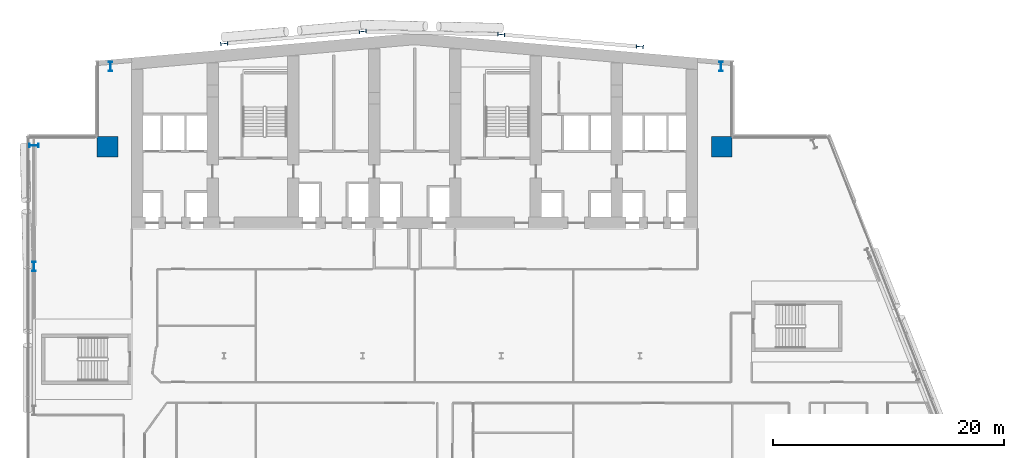
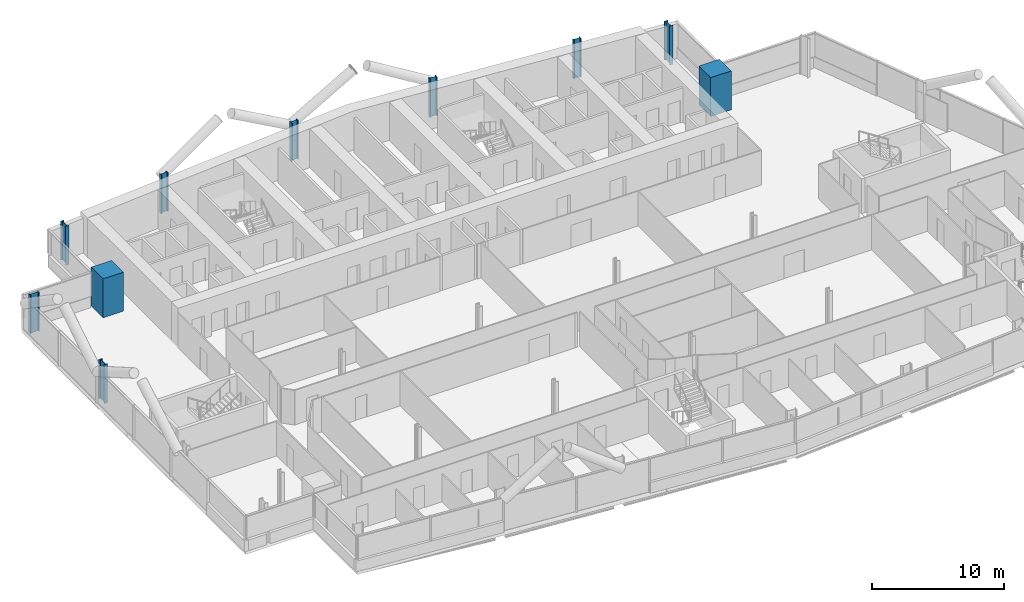
# One storey, part 3 of 27: 10 columns.
"""IFC4 building model written with IfcOpenShell, lengths in metres."""

from ifc_helpers import new_model, si_unit, direction, frame, origin, origin_2d, place, context, subcontext, project, spatial, rectangle, i_section, extrude, material, material_profile, profile_set, type_object, element, save


model = new_model("IFC4")

# Units and contexts
model_context = context("Model", 3, precision=1e-05, world=origin(), true_north=direction((0.0, 1.0)))
body_context = subcontext(model_context, "Body", "Model", "MODEL_VIEW")
ifc_project = project(units=[si_unit("LENGTHUNIT", "METRE"), si_unit("AREAUNIT", "SQUARE_METRE"), si_unit("VOLUMEUNIT", "CUBIC_METRE"), si_unit("PLANEANGLEUNIT", "RADIAN"), si_unit("MASSUNIT", "GRAM", prefix="KILO")], contexts=[model_context])

# Site, building, storey
site_placement = place(None, origin())
site = spatial("IfcSite", under=ifc_project, at=site_placement, CompositionType="ELEMENT")
building_placement = place(site_placement, origin())
building = spatial("IfcBuilding", under=site, at=building_placement, Name="Wharfspan Tower", CompositionType="ELEMENT")
storey_placement = place(building_placement, frame((0.0, 0.0, 136.300049)))
storey = spatial("IfcBuildingStorey", under=building, at=storey_placement, Name="L32", CompositionType="ELEMENT", Elevation=136.300049)

# Columns
ifc_material_1 = material(Name="Steel S355J2", Category="steel")
ifc_material_profile_1 = material_profile(ifc_material_1, i_section(OverallWidth=0.304932, OverallDepth=0.620117, WebThickness=0.020996, FlangeThickness=0.040039, FilletRadius=0.0271, at=origin_2d()))
ifc_profile_set_1 = profile_set([ifc_material_profile_1], Name="Steel S355J2")
column_type_1 = type_object("IfcColumnType", Name="Column HEM 600", PredefinedType="COLUMN", material=ifc_profile_set_1)
for number, where, z_axis, x_axis, name in (
    (1, (24.0, 50.027344, 0.0), (0.0, 0.0, 1.0), (-0.087156, 0.996198, 0.0), "Rear column R.1 L32"),
    (2, (36.0, 51.077148, 0.0), (0.0, 0.0, 1.0), (-0.087156, 0.996198, 0.0), "Rear column R.2 L32"),
    (3, (48.0, 50.814697, 0.0), (0.0, 0.0, 1.0), (0.087156, 0.996198, 0.0), "Rear column R.3 L32"),
    (4, (60.0, 49.764893, 0.0), (0.0, 0.0, 1.0), (0.087156, 0.996198, 0.0), "Rear column R.4 L32"),
):
    element("IfcColumn", number, at=place(storey_placement, frame(where, z_axis=z_axis, x_axis=x_axis)), inside=storey, type_object=column_type_1, Name=name, PredefinedType="COLUMN", context=body_context, shape_type="SweptSolid", body=[
        extrude(i_section(OverallWidth=0.304932, OverallDepth=0.620117, WebThickness=0.020996, FlangeThickness=0.040039, FilletRadius=0.0271, at=origin_2d()), origin(), (0.0, 0.0, 1.0), 3.599854),
    ])
ifc_material_profile_2 = material_profile(ifc_material_1, i_section(OverallWidth=0.302979, OverallDepth=0.813965, WebThickness=0.020996, FlangeThickness=0.040039, FilletRadius=0.030029, at=origin_2d()))
ifc_profile_set_2 = profile_set([ifc_material_profile_2], Name="Steel S355J2")
column_type_2 = type_object("IfcColumnType", Name="Column HEM 800", PredefinedType="COLUMN", material=ifc_profile_set_2)
for number, where, z_axis, x_axis, name in (
    (5, (67.031982, 48.035645, 0.0), (0.0, 0.0, 1.0), (1.0, 0.0, 0.0), "Perimeter column PNRE-V.1 L32"),
    (6, (14.171631, 48.03418, 0.0), (0.0, 0.0, 1.0), (-1.0, 0.0, 0.0), "Perimeter column PNRW-V.1 L32"),
    (7, (7.544434, 41.208008, 0.0), (0.0, 0.0, 1.0), (0.0, 1.0, 0.0), "Perimeter column PNRW-H.1 L32"),
    (8, (7.540039, 30.733398, 0.0), (0.0, 0.0, 1.0), (-1.0, 0.0, 0.0), "Perimeter column PW.1 L32"),
):
    element("IfcColumn", number, at=place(storey_placement, frame(where, z_axis=z_axis, x_axis=x_axis)), inside=storey, type_object=column_type_2, Name=name, PredefinedType="COLUMN", context=body_context, shape_type="SweptSolid", body=[
        extrude(i_section(OverallWidth=0.302979, OverallDepth=0.813965, WebThickness=0.020996, FlangeThickness=0.040039, FilletRadius=0.030029, at=origin_2d()), origin(), (0.0, 0.0, 1.0), 3.599854),
    ])
ifc_material_2 = material(Name="Concrete C70/85", Category="concrete")
ifc_material_profile_3 = material_profile(ifc_material_2, rectangle(XDim=1.800049, YDim=1.800049, at=origin_2d()))
ifc_profile_set_3 = profile_set([ifc_material_profile_3], Name="Concrete C70/85")
column_type_3 = type_object("IfcColumnType", Name="Mega column 1800 C70/85", PredefinedType="COLUMN", material=ifc_profile_set_3)
for number, where, z_axis, x_axis, name in (
    (9, (13.899902, 41.100098, 0.0), (0.0, 0.0, 1.0), (1.0, 0.0, 0.0), "Mega column MC2 L32"),
    (10, (67.100098, 41.100098, 0.0), (0.0, 0.0, 1.0), (1.0, 0.0, 0.0), "Mega column MC3 L32"),
):
    element("IfcColumn", number, at=place(storey_placement, frame(where, z_axis=z_axis, x_axis=x_axis)), inside=storey, type_object=column_type_3, Name=name, PredefinedType="COLUMN", context=body_context, shape_type="SweptSolid", body=[
        extrude(rectangle(XDim=1.800049, YDim=1.800049, at=origin_2d()), origin(), (0.0, 0.0, 1.0), 3.599854),
    ])

save(model, "model.ifc")
